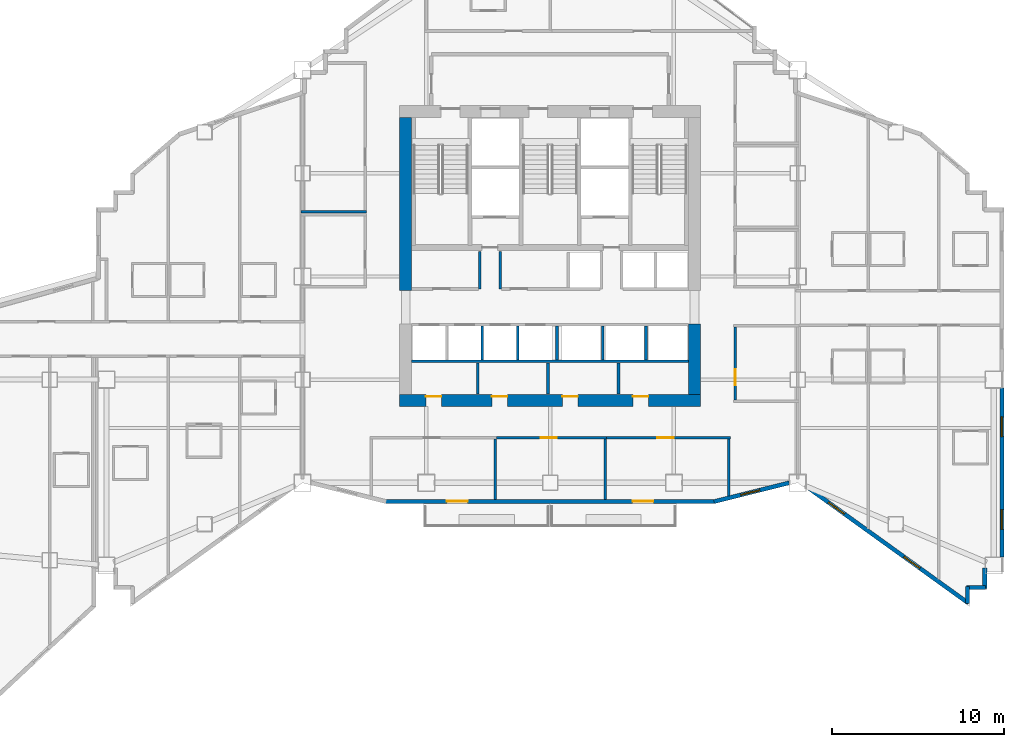
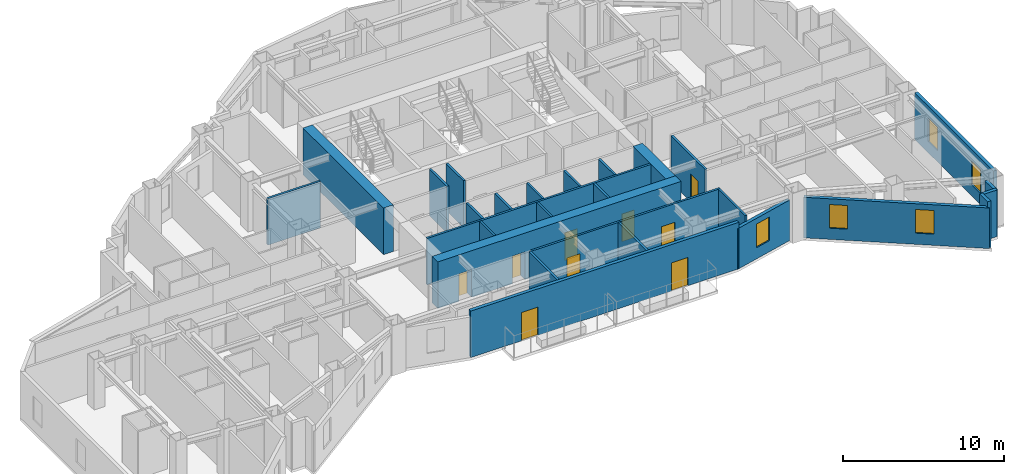
# One storey, part 9 of 15: 28 walls, 9 doors, 5 windows, 14 openings.
"""IFC4 building model written with IfcOpenShell, lengths in metres."""

from ifc_helpers import new_model, si_unit, direction, frame, frame_2d, origin, place, context, subcontext, project, spatial, rectangle, extrude, material, layer, layer_set, type_object, element, fill, save


model = new_model("IFC4")

# Units and contexts
model_context = context("Model", 3, precision=1e-05, world=origin(), true_north=direction((0.0, 1.0)))
body_context = subcontext(model_context, "Body", "Model", "MODEL_VIEW")
ifc_project = project(units=[si_unit("LENGTHUNIT", "METRE"), si_unit("AREAUNIT", "SQUARE_METRE"), si_unit("VOLUMEUNIT", "CUBIC_METRE"), si_unit("PLANEANGLEUNIT", "RADIAN"), si_unit("MASSUNIT", "GRAM", prefix="KILO")], contexts=[model_context])

# Site, building, storey
site_placement = place(None, origin())
site = spatial("IfcSite", under=ifc_project, at=site_placement, CompositionType="ELEMENT")
building_placement = place(site_placement, origin())
building = spatial("IfcBuilding", under=site, at=building_placement, Name="Haolan Belvedere Tower", CompositionType="ELEMENT")
storey_placement = place(building_placement, frame((0.0, 0.0, 156.199951171875)))
storey = spatial("IfcBuildingStorey", under=building, at=storey_placement, Name="L39", CompositionType="ELEMENT", Elevation=156.199951171875)

# Wall, openings, doors
ifc_material_1 = material(Name="Concrete C60/75", Category="concrete")
ifc_layer_1 = layer(ifc_material_1, 0.699951171875, Name="Concrete C60/75")
ifc_layer_set_1 = layer_set([ifc_layer_1], Name="Concrete C60/75")
wall_type_1 = type_object("IfcWallType", Name="WL-CORE-700", PredefinedType="SHEAR", material=ifc_layer_set_1)
wall_1_placement = place(storey_placement, frame((29.64990234375, 26.39990234375, 0.0), z_axis=(0.0, 0.0, 1.0), x_axis=(1.0, 0.0, 0.0)))
wall_1 = element("IfcWall", 1, at=wall_1_placement, inside=storey, type_object=wall_type_1, Name="L39 central core south shear wall", PredefinedType="SHEAR", context=body_context, shape_type="SweptSolid", body=[
    extrude(rectangle(XDim=17.5, YDim=0.699951171875, at=frame_2d((8.75, 0.0))), origin(), (0.0, 0.0, 1.0), 3.5400390625),
])
opening_1_placement = place(wall_1_placement, frame((2.419921875, 0.0, 0.0), z_axis=(0.0, 0.0, 1.0), x_axis=(-1.0, 0.0, 0.0)))
opening_1 = element("IfcOpeningElement", 2, at=opening_1_placement, cuts=wall_1, Name="Opening FD-05", PredefinedType="OPENING", context=body_context, shape_type="SweptSolid", body=[
    extrude(rectangle(XDim=0.89990234375, YDim=2.10009765625, at=frame_2d((0.449951171875, 1.050048828125))), frame((0.0, 0.35986328125, 0.0), z_axis=(0.0, -1.0, 0.0), x_axis=(1.0, 0.0, 0.0)), (0.0, 0.0, 1.0), 0.719970703125),
])
opening_2_placement = place(wall_1_placement, frame((6.260009765625, 0.0, 0.0), z_axis=(0.0, 0.0, 1.0), x_axis=(-1.0, 0.0, 0.0)))
opening_2 = element("IfcOpeningElement", 3, at=opening_2_placement, cuts=wall_1, Name="Opening FD-05", PredefinedType="OPENING", context=body_context, shape_type="SweptSolid", body=[
    extrude(rectangle(XDim=0.89990234375, YDim=2.10009765625, at=frame_2d((0.449951171875, 1.050048828125))), frame((0.0, 0.35986328125, 0.0), z_axis=(0.0, -1.0, 0.0), x_axis=(1.0, 0.0, 0.0)), (0.0, 0.0, 1.0), 0.719970703125),
])
opening_3_placement = place(wall_1_placement, frame((10.35986328125, 0.0, 0.0), z_axis=(0.0, 0.0, 1.0), x_axis=(-1.0, 0.0, 0.0)))
opening_3 = element("IfcOpeningElement", 4, at=opening_3_placement, cuts=wall_1, Name="Opening FD-05", PredefinedType="OPENING", context=body_context, shape_type="SweptSolid", body=[
    extrude(rectangle(XDim=0.89990234375, YDim=2.10009765625, at=frame_2d((0.449951171875, 1.050048828125))), frame((0.0, 0.35986328125, 0.0), z_axis=(0.0, -1.0, 0.0), x_axis=(1.0, 0.0, 0.0)), (0.0, 0.0, 1.0), 0.719970703125),
])
opening_4_placement = place(wall_1_placement, frame((14.4599609375, 0.0, 0.0), z_axis=(0.0, 0.0, 1.0), x_axis=(-1.0, 0.0, 0.0)))
opening_4 = element("IfcOpeningElement", 5, at=opening_4_placement, cuts=wall_1, Name="Opening FD-05", PredefinedType="OPENING", context=body_context, shape_type="SweptSolid", body=[
    extrude(rectangle(XDim=0.89990234375, YDim=2.10009765625, at=frame_2d((0.449951171875, 1.050048828125))), frame((0.0, 0.35986328125, 0.0), z_axis=(0.0, -1.0, 0.0), x_axis=(1.0, 0.0, 0.0)), (0.0, 0.0, 1.0), 0.719970703125),
])
ifc_material_2 = material(Name="Galvanised fire-rated steel", Category="steel")
door_type_1 = type_object("IfcDoorType", Name="DR-FD60-900", OperationType="NOTDEFINED", PredefinedType="DOOR", material=ifc_material_2)
door_1_placement = place(opening_1_placement, origin())
door_1 = element("IfcDoor", 6, at=door_1_placement, inside=storey, type_object=door_type_1, Name="L39 door CD-L39-SCV-1", OperationType="SINGLE_SWING_LEFT", OverallHeight=2.10009765625, OverallWidth=0.89990234375, PredefinedType="DOOR", context=body_context, shape_type="SweptSolid", body=[
    extrude(rectangle(XDim=0.89990234375, YDim=2.10009765625, at=frame_2d((0.449951171875, 1.050048828125))), frame((0.0, -0.19482421875, 0.0), z_axis=(0.0, -1.0, 0.0), x_axis=(1.0, 0.0, 0.0)), (0.0, 0.0, 1.0), 0.050048828125),
])
fill(opening_1, door_1)
door_2_placement = place(opening_2_placement, origin())
door_2 = element("IfcDoor", 7, at=door_2_placement, inside=storey, type_object=door_type_1, Name="L39 door CD-L39-SCV-2", OperationType="SINGLE_SWING_RIGHT", OverallHeight=2.10009765625, OverallWidth=0.89990234375, PredefinedType="DOOR", context=body_context, shape_type="SweptSolid", body=[
    extrude(rectangle(XDim=0.89990234375, YDim=2.10009765625, at=frame_2d((0.449951171875, 1.050048828125))), frame((0.0, -0.19482421875, 0.0), z_axis=(0.0, -1.0, 0.0), x_axis=(1.0, 0.0, 0.0)), (0.0, 0.0, 1.0), 0.050048828125),
])
fill(opening_2, door_2)
door_3_placement = place(opening_3_placement, origin())
door_3 = element("IfcDoor", 8, at=door_3_placement, inside=storey, type_object=door_type_1, Name="L39 door CD-L39-SCV-3", OperationType="SINGLE_SWING_LEFT", OverallHeight=2.10009765625, OverallWidth=0.89990234375, PredefinedType="DOOR", context=body_context, shape_type="SweptSolid", body=[
    extrude(rectangle(XDim=0.89990234375, YDim=2.10009765625, at=frame_2d((0.449951171875, 1.050048828125))), frame((0.0, -0.19482421875, 0.0), z_axis=(0.0, -1.0, 0.0), x_axis=(1.0, 0.0, 0.0)), (0.0, 0.0, 1.0), 0.050048828125),
])
fill(opening_3, door_3)
door_4_placement = place(opening_4_placement, origin())
door_4 = element("IfcDoor", 9, at=door_4_placement, inside=storey, type_object=door_type_1, Name="L39 door CD-L39-SCV-4", OperationType="SINGLE_SWING_RIGHT", OverallHeight=2.10009765625, OverallWidth=0.89990234375, PredefinedType="DOOR", context=body_context, shape_type="SweptSolid", body=[
    extrude(rectangle(XDim=0.89990234375, YDim=2.10009765625, at=frame_2d((0.449951171875, 1.050048828125))), frame((0.0, -0.19482421875, 0.0), z_axis=(0.0, -1.0, 0.0), x_axis=(1.0, 0.0, 0.0)), (0.0, 0.0, 1.0), 0.050048828125),
])
fill(opening_4, door_4)

# Walls
wall_2_placement = place(storey_placement, frame((30.0, 32.800048828125, 0.0), z_axis=(0.0, 0.0, 1.0), x_axis=(0.0, 1.0, 0.0)))
element("IfcWall", 10, at=wall_2_placement, inside=storey, type_object=wall_type_1, Name="L39 central core shear wall WN", PredefinedType="SHEAR", context=body_context, shape_type="SweptSolid", body=[
    extrude(rectangle(XDim=10.050048828125, YDim=0.699951171875, at=frame_2d((5.02490234375, 0.0))), origin(), (0.0, 0.0, 1.0), 3.5400390625),
])
wall_3_placement = place(storey_placement, frame((46.800048828125, 26.75, 0.0), z_axis=(0.0, 0.0, 1.0), x_axis=(0.0, 1.0, 0.0)))
element("IfcWall", 11, at=wall_3_placement, inside=storey, type_object=wall_type_1, Name="L39 central core shear wall ES", PredefinedType="SHEAR", context=body_context, shape_type="SweptSolid", body=[
    extrude(rectangle(XDim=4.10009765625, YDim=0.699951171875, at=frame_2d((2.050048828125, 0.0))), origin(), (0.0, 0.0, 1.0), 3.5400390625),
])

# Wall, openings, doors
ifc_material_3 = material(Name="Precast concrete C40/50", Category="concrete")
ifc_layer_2 = layer(ifc_material_3, 0.239990234375, Name="Precast concrete C40/50")
ifc_layer_set_2 = layer_set([ifc_layer_2], Name="Precast concrete C40/50")
wall_type_2 = type_object("IfcWallType", Name="WL-EXT-240", PredefinedType="SOLIDWALL", material=ifc_layer_set_2)
wall_4_placement = place(storey_placement, frame((28.759765625, 20.52001953125, 0.0), z_axis=(0.0, 0.0, 1.0), x_axis=(1.0, 0.0, 0.0)))
wall_4 = element("IfcWall", 12, at=wall_4_placement, inside=storey, type_object=wall_type_2, Name="L39 pale-metal exterior spandrel wall 7.1", PredefinedType="SOLIDWALL", context=body_context, shape_type="SweptSolid", body=[
    extrude(rectangle(XDim=19.280517578125, YDim=0.239990234375, at=frame_2d((9.64013671875, 0.0))), origin(), (0.0, 0.0, 1.0), 3.5400390625),
])
opening_5_placement = place(wall_4_placement, frame((4.840087890625, 0.0, 0.0), z_axis=(0.0, 0.0, 1.0), x_axis=(-1.0, 0.0, 0.0)))
opening_5 = element("IfcOpeningElement", 13, at=opening_5_placement, cuts=wall_4, Name="Opening BD-01", PredefinedType="OPENING", context=body_context, shape_type="SweptSolid", body=[
    extrude(rectangle(XDim=1.199951171875, YDim=2.14990234375, at=frame_2d((0.60009765625, 1.074951171875))), frame((0.0, 0.1298828125, 0.0), z_axis=(0.0, -1.0, 0.0), x_axis=(1.0, 0.0, 0.0)), (0.0, 0.0, 1.0), 0.260009765625),
])
opening_6_placement = place(wall_4_placement, frame((15.64013671875, 0.0, 0.0), z_axis=(0.0, 0.0, 1.0), x_axis=(-1.0, 0.0, 0.0)))
opening_6 = element("IfcOpeningElement", 14, at=opening_6_placement, cuts=wall_4, Name="Opening BD-01", PredefinedType="OPENING", context=body_context, shape_type="SweptSolid", body=[
    extrude(rectangle(XDim=1.199951171875, YDim=2.14990234375, at=frame_2d((0.60009765625, 1.074951171875))), frame((0.0, 0.1298828125, 0.0), z_axis=(0.0, -1.0, 0.0), x_axis=(1.0, 0.0, 0.0)), (0.0, 0.0, 1.0), 0.260009765625),
])
ifc_material_4 = material(Name="Thermally broken pale-metal aluminium and Low-E glass", Category="aluminium")
door_type_2 = type_object("IfcDoorType", Name="DR-BAL-1200", OperationType="NOTDEFINED", PredefinedType="DOOR", material=ifc_material_4)
door_5_placement = place(opening_5_placement, origin())
door_5 = element("IfcDoor", 15, at=door_5_placement, inside=storey, type_object=door_type_2, Name="L39 tree-balcony access door 1", OperationType="SINGLE_SWING_LEFT", OverallHeight=2.14990234375, OverallWidth=1.199951171875, PredefinedType="DOOR", context=body_context, shape_type="SweptSolid", body=[
    extrude(rectangle(XDim=1.199951171875, YDim=2.14990234375, at=frame_2d((0.60009765625, 1.074951171875))), frame((0.0, 0.02490234375, 0.0), z_axis=(0.0, -1.0, 0.0), x_axis=(1.0, 0.0, 0.0)), (0.0, 0.0, 1.0), 0.050048828125),
])
fill(opening_5, door_5)
door_6_placement = place(opening_6_placement, origin())
door_6 = element("IfcDoor", 16, at=door_6_placement, inside=storey, type_object=door_type_2, Name="L39 tree-balcony access door 2", OperationType="SINGLE_SWING_RIGHT", OverallHeight=2.14990234375, OverallWidth=1.199951171875, PredefinedType="DOOR", context=body_context, shape_type="SweptSolid", body=[
    extrude(rectangle(XDim=1.199951171875, YDim=2.14990234375, at=frame_2d((0.60009765625, 1.074951171875))), frame((0.0, 0.02490234375, 0.0), z_axis=(0.0, -1.0, 0.0), x_axis=(1.0, 0.0, 0.0)), (0.0, 0.0, 1.0), 0.050048828125),
])
fill(opening_6, door_6)

# Wall, opening, window
wall_5_placement = place(storey_placement, frame((47.931884765625, 20.506591796875, 0.0), z_axis=(0.0, 0.0, 1.0), x_axis=(0.970145683738, 0.242522890311, 0.0)))
wall_5 = element("IfcWall", 17, at=wall_5_placement, inside=storey, type_object=wall_type_2, Name="L39 pale-metal exterior spandrel wall 8.1", PredefinedType="SOLIDWALL", context=body_context, shape_type="SweptSolid", body=[
    extrude(rectangle(XDim=4.510986328125, YDim=0.239990234375, at=frame_2d((2.25537109375, 0.0))), origin(), (0.0, 0.0, 1.0), 3.0849609375),
])
opening_7_placement = place(wall_5_placement, frame((1.60009765625, 0.0, 0.85009765625)))
opening_7 = element("IfcOpeningElement", 18, at=opening_7_placement, cuts=wall_5, Name="Opening W-02", PredefinedType="OPENING", context=body_context, shape_type="SweptSolid", body=[
    extrude(rectangle(XDim=1.14990234375, YDim=1.800048828125, at=frame_2d((0.574951171875, 0.89990234375))), frame((0.0, 0.1298828125, 0.0), z_axis=(0.0, -1.0, 0.0), x_axis=(1.0, 0.0, 0.0)), (0.0, 0.0, 1.0), 0.260009765625),
])
ifc_material_5 = material(Name="Anodised aluminium 6063-T6 and Low-E glass", Category="aluminium")
window_type = type_object("IfcWindowType", Name="WN-DECO-Z2", PartitioningType="SINGLE_PANEL", PredefinedType="WINDOW", material=ifc_material_5)
window_1_placement = place(opening_7_placement, origin())
window_1 = element("IfcWindow", 19, at=window_1_placement, inside=storey, type_object=window_type, Name="L39 Art Deco chevron window 1", OverallHeight=1.800048828125, OverallWidth=1.14990234375, PartitioningType="SINGLE_PANEL", PredefinedType="WINDOW", context=body_context, shape_type="SweptSolid", body=[
    extrude(rectangle(XDim=1.14990234375, YDim=1.800048828125, at=frame_2d((0.574951171875, 0.89990234375))), frame((0.0, 0.030029296875, 0.0), z_axis=(0.0, -1.0, 0.0), x_axis=(1.0, 0.0, 0.0)), (0.0, 0.0, 1.0), 0.06005859375),
])
fill(opening_7, window_1)

# Wall, openings, windows
wall_6_placement = place(storey_placement, frame((53.2919921875, 21.3935546875, 0.0), z_axis=(0.0, 0.0, 1.0), x_axis=(0.811543504691, -0.584291998913, 0.0)))
wall_6 = element("IfcWall", 20, at=wall_6_placement, inside=storey, type_object=wall_type_2, Name="L39 pale-metal exterior spandrel wall 9.1", PredefinedType="SOLIDWALL", context=body_context, shape_type="SweptSolid", body=[
    extrude(rectangle(XDim=11.623046875, YDim=0.239990234375, at=frame_2d((5.8115234375, 0.0))), origin(), (0.0, 0.0, 1.0), 3.0849609375),
])
opening_8_placement = place(wall_6_placement, frame((1.60009765625, 0.0, 0.85009765625)))
opening_8 = element("IfcOpeningElement", 21, at=opening_8_placement, cuts=wall_6, Name="Opening W-02", PredefinedType="OPENING", context=body_context, shape_type="SweptSolid", body=[
    extrude(rectangle(XDim=1.14990234375, YDim=1.800048828125, at=frame_2d((0.574951171875, 0.89990234375))), frame((0.0, 0.1298828125, 0.0), z_axis=(0.0, -1.0, 0.0), x_axis=(1.0, 0.0, 0.0)), (0.0, 0.0, 1.0), 0.260009765625),
])
opening_9_placement = place(wall_6_placement, frame((7.0, 0.0, 0.85009765625)))
opening_9 = element("IfcOpeningElement", 22, at=opening_9_placement, cuts=wall_6, Name="Opening W-02", PredefinedType="OPENING", context=body_context, shape_type="SweptSolid", body=[
    extrude(rectangle(XDim=1.14990234375, YDim=1.800048828125, at=frame_2d((0.574951171875, 0.89990234375))), frame((0.0, 0.1298828125, 0.0), z_axis=(0.0, -1.0, 0.0), x_axis=(1.0, 0.0, 0.0)), (0.0, 0.0, 1.0), 0.260009765625),
])
window_2_placement = place(opening_8_placement, origin())
window_2 = element("IfcWindow", 23, at=window_2_placement, inside=storey, type_object=window_type, Name="L39 Art Deco chevron window 1", OverallHeight=1.800048828125, OverallWidth=1.14990234375, PartitioningType="SINGLE_PANEL", PredefinedType="WINDOW", context=body_context, shape_type="SweptSolid", body=[
    extrude(rectangle(XDim=1.14990234375, YDim=1.800048828125, at=frame_2d((0.574951171875, 0.89990234375))), frame((0.0, 0.030029296875, 0.0), z_axis=(0.0, -1.0, 0.0), x_axis=(1.0, 0.0, 0.0)), (0.0, 0.0, 1.0), 0.06005859375),
])
fill(opening_8, window_2)
window_3_placement = place(opening_9_placement, origin())
window_3 = element("IfcWindow", 24, at=window_3_placement, inside=storey, type_object=window_type, Name="L39 Art Deco chevron window 2", OverallHeight=1.800048828125, OverallWidth=1.14990234375, PartitioningType="SINGLE_PANEL", PredefinedType="WINDOW", context=body_context, shape_type="SweptSolid", body=[
    extrude(rectangle(XDim=1.14990234375, YDim=1.800048828125, at=frame_2d((0.574951171875, 0.89990234375))), frame((0.0, 0.030029296875, 0.0), z_axis=(0.0, -1.0, 0.0), x_axis=(1.0, 0.0, 0.0)), (0.0, 0.0, 1.0), 0.06005859375),
])
fill(opening_9, window_3)

# Walls
wall_7_placement = place(storey_placement, frame((62.679931640625, 14.579345703125, 0.0), z_axis=(0.0, 0.0, 1.0), x_axis=(0.0, 1.0, 0.0)))
element("IfcWall", 25, at=wall_7_placement, inside=storey, type_object=wall_type_2, Name="L39 pale-metal exterior spandrel wall 10.1", PredefinedType="SOLIDWALL", context=body_context, shape_type="SweptSolid", body=[
    extrude(rectangle(XDim=0.99560546875, YDim=0.239990234375, at=frame_2d((0.497802734375, 0.0))), origin(), (0.0, 0.0, 1.0), 3.5400390625),
])
wall_8_placement = place(storey_placement, frame((62.625, 15.52001953125, 0.0), z_axis=(0.0, 0.0, 1.0), x_axis=(1.0, 0.0, 0.0)))
element("IfcWall", 26, at=wall_8_placement, inside=storey, type_object=wall_type_2, Name="L39 pale-metal exterior spandrel wall 11.1", PredefinedType="SOLIDWALL", context=body_context, shape_type="SweptSolid", body=[
    extrude(rectangle(XDim=1.110107421875, YDim=0.239990234375, at=frame_2d((0.55517578125, 0.0))), origin(), (0.0, 0.0, 1.0), 3.5400390625),
])
wall_9_placement = place(storey_placement, frame((63.679931640625, 15.465087890625, 0.0), z_axis=(0.0, 0.0, 1.0), x_axis=(0.0, 1.0, 0.0)))
element("IfcWall", 27, at=wall_9_placement, inside=storey, type_object=wall_type_2, Name="L39 pale-metal exterior spandrel wall 12.1", PredefinedType="SOLIDWALL", context=body_context, shape_type="SweptSolid", body=[
    extrude(rectangle(XDim=1.1748046875, YDim=0.239990234375, at=frame_2d((0.58740234375, 0.0))), origin(), (0.0, 0.0, 1.0), 3.5400390625),
])

# Wall, openings, windows
wall_10_placement = place(storey_placement, frame((64.679931640625, 17.2919921875, 0.0), z_axis=(0.0, 0.0, 1.0), x_axis=(0.0, 1.0, 0.0)))
wall_10 = element("IfcWall", 28, at=wall_10_placement, inside=storey, type_object=wall_type_2, Name="L39 pale-metal exterior spandrel wall 14.1", PredefinedType="SOLIDWALL", context=body_context, shape_type="SweptSolid", body=[
    extrude(rectangle(XDim=9.81591796875, YDim=0.239990234375, at=frame_2d((4.907958984375, 0.0))), origin(), (0.0, 0.0, 1.0), 3.5400390625),
])
opening_10_placement = place(wall_10_placement, frame((1.60009765625, 0.0, 0.85009765625)))
opening_10 = element("IfcOpeningElement", 29, at=opening_10_placement, cuts=wall_10, Name="Opening W-02", PredefinedType="OPENING", context=body_context, shape_type="SweptSolid", body=[
    extrude(rectangle(XDim=1.14990234375, YDim=1.800048828125, at=frame_2d((0.574951171875, 0.89990234375))), frame((0.0, 0.1298828125, 0.0), z_axis=(0.0, -1.0, 0.0), x_axis=(1.0, 0.0, 0.0)), (0.0, 0.0, 1.0), 0.260009765625),
])
opening_11_placement = place(wall_10_placement, frame((7.0, 0.0, 0.85009765625)))
opening_11 = element("IfcOpeningElement", 30, at=opening_11_placement, cuts=wall_10, Name="Opening W-02", PredefinedType="OPENING", context=body_context, shape_type="SweptSolid", body=[
    extrude(rectangle(XDim=1.14990234375, YDim=1.800048828125, at=frame_2d((0.574951171875, 0.89990234375))), frame((0.0, 0.1298828125, 0.0), z_axis=(0.0, -1.0, 0.0), x_axis=(1.0, 0.0, 0.0)), (0.0, 0.0, 1.0), 0.260009765625),
])
window_4_placement = place(opening_10_placement, origin())
window_4 = element("IfcWindow", 31, at=window_4_placement, inside=storey, type_object=window_type, Name="L39 Art Deco chevron window 1", OverallHeight=1.800048828125, OverallWidth=1.14990234375, PartitioningType="SINGLE_PANEL", PredefinedType="WINDOW", context=body_context, shape_type="SweptSolid", body=[
    extrude(rectangle(XDim=1.14990234375, YDim=1.800048828125, at=frame_2d((0.574951171875, 0.89990234375))), frame((0.0, 0.030029296875, 0.0), z_axis=(0.0, -1.0, 0.0), x_axis=(1.0, 0.0, 0.0)), (0.0, 0.0, 1.0), 0.06005859375),
])
fill(opening_10, window_4)
window_5_placement = place(opening_11_placement, origin())
window_5 = element("IfcWindow", 32, at=window_5_placement, inside=storey, type_object=window_type, Name="L39 Art Deco chevron window 2", OverallHeight=1.800048828125, OverallWidth=1.14990234375, PartitioningType="SINGLE_PANEL", PredefinedType="WINDOW", context=body_context, shape_type="SweptSolid", body=[
    extrude(rectangle(XDim=1.14990234375, YDim=1.800048828125, at=frame_2d((0.574951171875, 0.89990234375))), frame((0.0, 0.030029296875, 0.0), z_axis=(0.0, -1.0, 0.0), x_axis=(1.0, 0.0, 0.0)), (0.0, 0.0, 1.0), 0.06005859375),
])
fill(opening_11, window_5)

# Walls
ifc_material_6 = material(Name="Double gypsum acoustic stud partition", Category="masonry")
ifc_layer_3 = layer(ifc_material_6, 0.14990234375, Name="Double gypsum acoustic stud partition")
ifc_layer_set_3 = layer_set([ifc_layer_3], Name="Double gypsum acoustic stud partition")
wall_type_3 = type_object("IfcWallType", Name="WL-PART-150", PredefinedType="PARTITIONING", material=ifc_layer_set_3)
wall_11_placement = place(storey_placement, frame((30.35009765625, 28.659912109375, 0.0), z_axis=(0.0, 0.0, 1.0), x_axis=(1.0, 0.0, 0.0)))
element("IfcWall", 33, at=wall_11_placement, inside=storey, type_object=wall_type_3, Name="L39 interior partition IW-L39-SSTRIP-N", PredefinedType="PARTITIONING", context=body_context, shape_type="SweptSolid", body=[
    extrude(rectangle(XDim=16.099853515625, YDim=0.14990234375, at=frame_2d((8.0498046875, 0.0))), origin(), (0.0, 0.0, 1.0), 3.5400390625),
])
for number, where, z_axis, x_axis, name in (
    (34, (34.179931640625, 26.760009765625, 0.0), (0.0, 0.0, 1.0), (0.0, 1.0, 0.0), "L39 interior partition IW-L39-SCV-DIV-1"),
    (35, (38.280029296875, 26.760009765625, 0.0), (0.0, 0.0, 1.0), (0.0, 1.0, 0.0), "L39 interior partition IW-L39-SCV-DIV-2"),
    (36, (42.3798828125, 26.760009765625, 0.0), (0.0, 0.0, 1.0), (0.0, 1.0, 0.0), "L39 interior partition IW-L39-SCV-DIV-3"),
):
    element("IfcWall", number, at=place(storey_placement, frame(where, z_axis=z_axis, x_axis=x_axis)), inside=storey, type_object=wall_type_3, Name=name, PredefinedType="PARTITIONING", context=body_context, shape_type="SweptSolid", body=[
        extrude(rectangle(XDim=1.820068359375, YDim=0.14990234375, at=frame_2d((0.91015625, 0.0))), origin(), (0.0, 0.0, 1.0), 3.5400390625),
    ])
wall_12_placement = place(storey_placement, frame((23.919921875, 37.360107421875, 0.0), z_axis=(0.0, 0.0, 1.0), x_axis=(1.0, 0.0, 0.0)))
element("IfcWall", 37, at=wall_12_placement, inside=storey, type_object=wall_type_3, Name="L39 interior partition IW-L39-MTG-S", PredefinedType="PARTITIONING", context=body_context, shape_type="SweptSolid", body=[
    extrude(rectangle(XDim=3.800048828125, YDim=0.14990234375, at=frame_2d((1.89990234375, 0.0))), origin(), (0.0, 0.0, 1.0), 3.5400390625),
])

# Wall, opening, door
wall_13_placement = place(storey_placement, frame((49.159912109375, 26.409912109375, 0.0), z_axis=(0.0, 0.0, 1.0), x_axis=(0.0, 1.0, 0.0)))
wall_13 = element("IfcWall", 38, at=wall_13_placement, inside=storey, type_object=wall_type_3, Name="L39 interior partition IW-L39-PKTE-W", PredefinedType="PARTITIONING", context=body_context, shape_type="SweptSolid", body=[
    extrude(rectangle(XDim=4.260009765625, YDim=0.14990234375, at=frame_2d((2.1298828125, 0.0))), origin(), (0.0, 0.0, 1.0), 3.5400390625),
])
opening_12_placement = place(wall_13_placement, frame((0.860107421875, 0.0, 0.0)))
opening_12 = element("IfcOpeningElement", 39, at=opening_12_placement, cuts=wall_13, Name="Opening ID-03", PredefinedType="OPENING", context=body_context, shape_type="SweptSolid", body=[
    extrude(rectangle(XDim=0.949951171875, YDim=2.1201171875, at=frame_2d((0.47509765625, 1.06005859375))), frame((0.0, 0.0849609375, 0.0), z_axis=(0.0, -1.0, 0.0), x_axis=(1.0, 0.0, 0.0)), (0.0, 0.0, 1.0), 0.169921875),
])
ifc_material_7 = material(Name="Painted solid-core timber", Category="wood")
door_type_3 = type_object("IfcDoorType", Name="DR-INT-950", OperationType="NOTDEFINED", PredefinedType="DOOR", material=ifc_material_7)
door_7_placement = place(opening_12_placement, origin())
door_7 = element("IfcDoor", 40, at=door_7_placement, inside=storey, type_object=door_type_3, Name="L39 door ID-L39-PKTE", OperationType="SINGLE_SWING_RIGHT", OverallHeight=2.1201171875, OverallWidth=0.949951171875, PredefinedType="DOOR", context=body_context, shape_type="SweptSolid", body=[
    extrude(rectangle(XDim=0.949951171875, YDim=2.1201171875, at=frame_2d((0.47509765625, 1.06005859375))), frame((0.0, 0.02490234375, 0.0), z_axis=(0.0, -1.0, 0.0), x_axis=(1.0, 0.0, 0.0)), (0.0, 0.0, 1.0), 0.050048828125),
])
fill(opening_12, door_7)

# Wall
wall_14_placement = place(storey_placement, frame((35.199951171875, 20.625, 0.0), z_axis=(0.0, 0.0, 1.0), x_axis=(0.0, 1.0, 0.0)))
element("IfcWall", 41, at=wall_14_placement, inside=storey, type_object=wall_type_3, Name="L39 interior partition IW-L39-KS2-E", PredefinedType="PARTITIONING", context=body_context, shape_type="SweptSolid", body=[
    extrude(rectangle(XDim=3.534912109375, YDim=0.14990234375, at=frame_2d((1.767578125, 0.0))), origin(), (0.0, 0.0, 1.0), 3.5400390625),
])

# Wall, opening, door
wall_15_placement = place(storey_placement, frame((35.281982421875, 24.219970703125, 0.0), z_axis=(0.0, 0.0, 1.0), x_axis=(1.0, 0.0, 0.0)))
wall_15 = element("IfcWall", 42, at=wall_15_placement, inside=storey, type_object=wall_type_3, Name="L39 interior partition IW-L39-KS3-N", PredefinedType="PARTITIONING", context=body_context, shape_type="SweptSolid", body=[
    extrude(rectangle(XDim=6.39794921875, YDim=0.14990234375, at=frame_2d((3.198974609375, 0.0))), origin(), (0.0, 0.0, 1.0), 3.5400390625),
])
opening_13_placement = place(wall_15_placement, frame((3.512939453125, 0.0, 0.0), z_axis=(0.0, 0.0, 1.0), x_axis=(-1.0, 0.0, 0.0)))
opening_13 = element("IfcOpeningElement", 43, at=opening_13_placement, cuts=wall_15, Name="Opening ID-03", PredefinedType="OPENING", context=body_context, shape_type="SweptSolid", body=[
    extrude(rectangle(XDim=0.949951171875, YDim=2.1201171875, at=frame_2d((0.47509765625, 1.06005859375))), frame((0.0, 0.0849609375, 0.0), z_axis=(0.0, -1.0, 0.0), x_axis=(1.0, 0.0, 0.0)), (0.0, 0.0, 1.0), 0.169921875),
])
door_8_placement = place(opening_13_placement, origin())
door_8 = element("IfcDoor", 44, at=door_8_placement, inside=storey, type_object=door_type_3, Name="L39 door ID-L39-KS3", OperationType="SINGLE_SWING_LEFT", OverallHeight=2.1201171875, OverallWidth=0.949951171875, PredefinedType="DOOR", context=body_context, shape_type="SweptSolid", body=[
    extrude(rectangle(XDim=0.949951171875, YDim=2.1201171875, at=frame_2d((0.47509765625, 1.06005859375))), frame((0.0, 0.02490234375, 0.0), z_axis=(0.0, -1.0, 0.0), x_axis=(1.0, 0.0, 0.0)), (0.0, 0.0, 1.0), 0.050048828125),
])
fill(opening_13, door_8)

# Wall
wall_16_placement = place(storey_placement, frame((41.60009765625, 20.625, 0.0), z_axis=(0.0, 0.0, 1.0), x_axis=(0.0, 1.0, 0.0)))
element("IfcWall", 45, at=wall_16_placement, inside=storey, type_object=wall_type_3, Name="L39 interior partition IW-L39-KS3-E", PredefinedType="PARTITIONING", context=body_context, shape_type="SweptSolid", body=[
    extrude(rectangle(XDim=3.534912109375, YDim=0.14990234375, at=frame_2d((1.767578125, 0.0))), origin(), (0.0, 0.0, 1.0), 3.5400390625),
])

# Wall, opening, door
wall_17_placement = place(storey_placement, frame((41.681884765625, 24.219970703125, 0.0), z_axis=(0.0, 0.0, 1.0), x_axis=(1.0, 0.0, 0.0)))
wall_17 = element("IfcWall", 46, at=wall_17_placement, inside=storey, type_object=wall_type_3, Name="L39 interior partition IW-L39-KS4-N", PredefinedType="PARTITIONING", context=body_context, shape_type="SweptSolid", body=[
    extrude(rectangle(XDim=7.197998046875, YDim=0.14990234375, at=frame_2d((3.59912109375, 0.0))), origin(), (0.0, 0.0, 1.0), 3.5400390625),
])
opening_14_placement = place(wall_17_placement, frame((3.912841796875, 0.0, 0.0), z_axis=(0.0, 0.0, 1.0), x_axis=(-1.0, 0.0, 0.0)))
opening_14 = element("IfcOpeningElement", 47, at=opening_14_placement, cuts=wall_17, Name="Opening ID-03", PredefinedType="OPENING", context=body_context, shape_type="SweptSolid", body=[
    extrude(rectangle(XDim=0.949951171875, YDim=2.1201171875, at=frame_2d((0.47509765625, 1.06005859375))), frame((0.0, 0.0849609375, 0.0), z_axis=(0.0, -1.0, 0.0), x_axis=(1.0, 0.0, 0.0)), (0.0, 0.0, 1.0), 0.169921875),
])
door_9_placement = place(opening_14_placement, origin())
door_9 = element("IfcDoor", 48, at=door_9_placement, inside=storey, type_object=door_type_3, Name="L39 door ID-L39-KS4", OperationType="SINGLE_SWING_RIGHT", OverallHeight=2.1201171875, OverallWidth=0.949951171875, PredefinedType="DOOR", context=body_context, shape_type="SweptSolid", body=[
    extrude(rectangle(XDim=0.949951171875, YDim=2.1201171875, at=frame_2d((0.47509765625, 1.06005859375))), frame((0.0, 0.02490234375, 0.0), z_axis=(0.0, -1.0, 0.0), x_axis=(1.0, 0.0, 0.0)), (0.0, 0.0, 1.0), 0.050048828125),
])
fill(opening_14, door_9)

# Walls
wall_18_placement = place(storey_placement, frame((48.800048828125, 20.83203125, 0.0), z_axis=(0.0, 0.0, 1.0), x_axis=(0.0, 1.0, 0.0)))
element("IfcWall", 49, at=wall_18_placement, inside=storey, type_object=wall_type_3, Name="L39 interior partition IW-L39-KS4-E", PredefinedType="PARTITIONING", context=body_context, shape_type="SweptSolid", body=[
    extrude(rectangle(XDim=3.327880859375, YDim=0.14990234375, at=frame_2d((1.6640625, 0.0))), origin(), (0.0, 0.0, 1.0), 3.5400390625),
])
ifc_material_8 = material(Name="Gypsum fire shaftwall assembly", Category="masonry")
ifc_layer_4 = layer(ifc_material_8, 0.1650390625, Name="Gypsum fire shaftwall assembly")
ifc_layer_set_4 = layer_set([ifc_layer_4], Name="Gypsum fire shaftwall assembly")
wall_type_4 = type_object("IfcWallType", Name="WL-SHAFT-160", PredefinedType="SOLIDWALL", material=ifc_layer_set_4)
for number, where, z_axis, x_axis, name in (
    (50, (34.31005859375, 32.8798828125, 0.0), (0.0, 0.0, 1.0), (0.0, 1.0, 0.0), "L39 interior partition IW-L39-SVP-W-SV1"),
    (51, (35.510009765625, 32.8798828125, 0.0), (0.0, 0.0, 1.0), (0.0, 1.0, 0.0), "L39 interior partition IW-L39-SVP-E-SV1"),
):
    element("IfcWall", number, at=place(storey_placement, frame(where, z_axis=z_axis, x_axis=x_axis)), inside=storey, type_object=wall_type_4, Name=name, PredefinedType="SOLIDWALL", context=body_context, shape_type="SweptSolid", body=[
        extrude(rectangle(XDim=2.170166015625, YDim=0.14990234375, at=frame_2d((1.0849609375, 0.0))), origin(), (0.0, 0.0, 1.0), 3.5400390625),
    ])
for number, where, z_axis, x_axis, name in (
    (52, (34.4599609375, 28.735107421875, 0.0), (0.0, 0.0, 1.0), (0.0, 1.0, 0.0), "L39 interior partition IW-L39-DIV-PM2"),
    (53, (36.52001953125, 28.735107421875, 0.0), (0.0, 0.0, 1.0), (0.0, 1.0, 0.0), "L39 interior partition IW-L39-DIV-PM3"),
    (54, (38.800048828125, 28.735107421875, 0.0), (0.0, 0.0, 1.0), (0.0, 1.0, 0.0), "L39 interior partition IW-L39-DIV-PM4"),
):
    element("IfcWall", number, at=place(storey_placement, frame(where, z_axis=z_axis, x_axis=x_axis)), inside=storey, type_object=wall_type_4, Name=name, PredefinedType="SOLIDWALL", context=body_context, shape_type="SweptSolid", body=[
        extrude(rectangle(XDim=1.98486328125, YDim=0.14990234375, at=frame_2d((0.992431640625, 0.0))), origin(), (0.0, 0.0, 1.0), 3.5400390625),
    ])
for number, where, z_axis, x_axis, name in (
    (55, (41.469970703125, 28.75, 0.0), (0.0, 0.0, 1.0), (0.0, 1.0, 0.0), "L39 interior partition IW-L39-DIV-OB1"),
    (56, (43.97998046875, 28.75, 0.0), (0.0, 0.0, 1.0), (0.0, 1.0, 0.0), "L39 interior partition IW-L39-DIV-OB2"),
):
    element("IfcWall", number, at=place(storey_placement, frame(where, z_axis=z_axis, x_axis=x_axis)), inside=storey, type_object=wall_type_4, Name=name, PredefinedType="SOLIDWALL", context=body_context, shape_type="SweptSolid", body=[
        extrude(rectangle(XDim=1.985107421875, YDim=0.14990234375, at=frame_2d((0.99267578125, 0.0))), origin(), (0.0, 0.0, 1.0), 3.5400390625),
    ])

save(model, "model.ifc")
